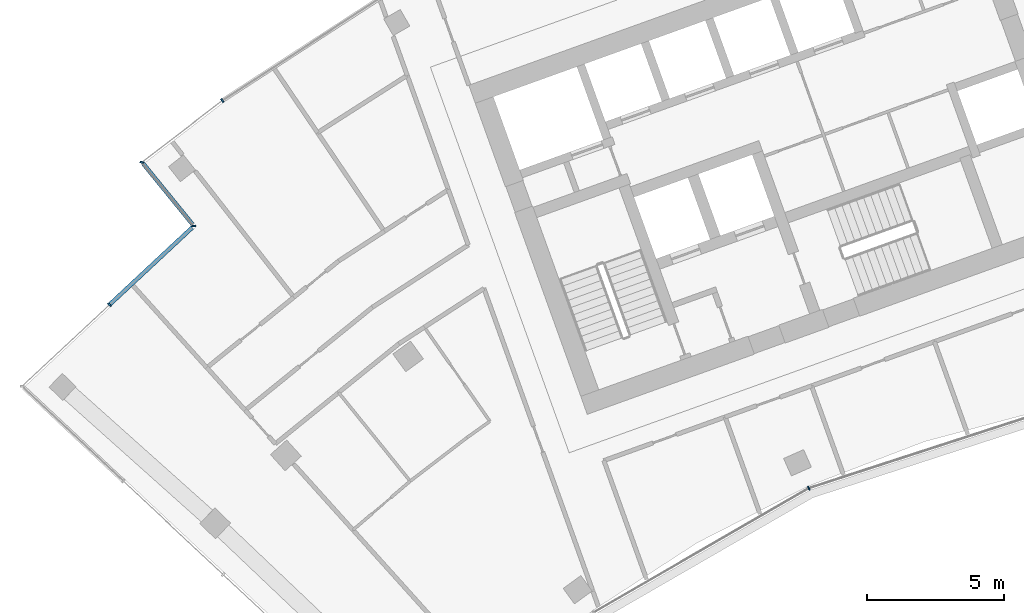
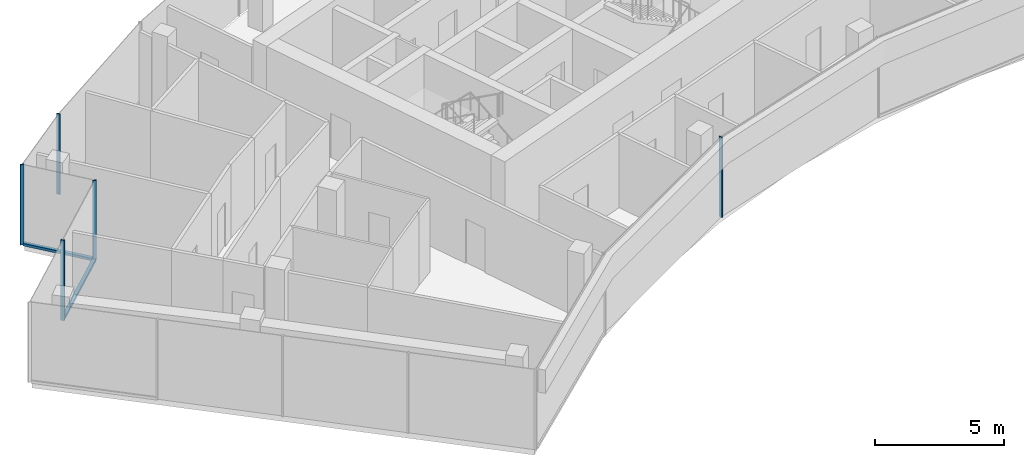
# One storey, part 3 of 18: 7 members, 4 elements without a shape of their own.
"""IFC4 building model written with IfcOpenShell, lengths in metres."""

from ifc_helpers import new_model, si_unit, direction, frame, origin, origin_2d, place, context, subcontext, project, spatial, rectangle, extrude, material, layer, layer_set, material_profile, profile_set, type_object, element, aggregate, save


model = new_model("IFC4")

# Units and contexts
model_context = context("Model", 3, precision=1e-05, world=origin(), true_north=direction((0.0, 1.0)))
body_context = subcontext(model_context, "Body", "Model", "MODEL_VIEW")
ifc_project = project(units=[si_unit("LENGTHUNIT", "METRE"), si_unit("AREAUNIT", "SQUARE_METRE"), si_unit("VOLUMEUNIT", "CUBIC_METRE"), si_unit("PLANEANGLEUNIT", "RADIAN"), si_unit("MASSUNIT", "GRAM", prefix="KILO")], contexts=[model_context])

# Site, building, storey
site_placement = place(None, origin())
site = spatial("IfcSite", under=ifc_project, at=site_placement, CompositionType="ELEMENT")
building_placement = place(site_placement, origin())
building = spatial("IfcBuilding", under=site, at=building_placement, Name="Stone Belt Terrace Tower", CompositionType="ELEMENT")
storey_placement = place(building_placement, frame((0.0, 0.0, 296.0)))
storey = spatial("IfcBuildingStorey", under=building, at=storey_placement, Name="L72", CompositionType="ELEMENT", Elevation=296.0)

# Curtain wall, member
ifc_material = material(Name="Aluminium 6063-T6 anodised frame", Category="aluminium")
ifc_layer_1 = layer(ifc_material, 0.14990234375)
ifc_layer_set_1 = layer_set([ifc_layer_1], Name="CW-A unitised convex-face curtain wall")
curtain_wall_type_1 = type_object("IfcCurtainWallType", Name="CW-A unitised convex-face curtain wall", PredefinedType="NOTDEFINED", material=ifc_layer_set_1)
curtain_wall_1_placement = place(storey_placement, origin())
curtain_wall_1 = element("IfcCurtainWall", 1, at=curtain_wall_1_placement, inside=storey, type_object=curtain_wall_type_1, Name="CW-A convex face L72", PredefinedType="NOTDEFINED")
ifc_material_profile_1 = material_profile(ifc_material, rectangle(XDim=0.14990234375, YDim=0.06005859375, at=origin_2d()), Name="Aluminium 6063-T6 60x150")
ifc_profile_set_1 = profile_set([ifc_material_profile_1], Name="Aluminium 6063-T6 anodised frame")
member_type_1 = type_object("IfcMemberType", Name="CW-A mullion 60 x 150", PredefinedType="MULLION", material=ifc_profile_set_1)
member_1_placement = place(storey_placement, frame((-39.131103515625, 53.86083984375, 0.0), z_axis=(0.0, 0.0, 1.0), x_axis=(0.577587125789, -0.816329046477, 0.0)))
member_1 = element("IfcMember", 2, at=member_1_placement, type_object=member_type_1, Name="CW-A mullion 14", PredefinedType="MULLION", context=body_context, shape_type="SweptSolid", body=[
    extrude(rectangle(XDim=0.14990234375, YDim=0.06005859375, at=origin_2d()), origin(), (0.0, 0.0, 1.0), 3.800048828125),
])
aggregate(curtain_wall_1, [member_1])

ifc_layer_2 = layer(ifc_material, 0.14990234375)
ifc_layer_set_2 = layer_set([ifc_layer_2], Name="CW-B unitised concave-face curtain wall")
curtain_wall_type_2 = type_object("IfcCurtainWallType", Name="CW-B unitised concave-face curtain wall", PredefinedType="NOTDEFINED", material=ifc_layer_set_2)
curtain_wall_2_placement = place(storey_placement, origin())
curtain_wall_2 = element("IfcCurtainWall", 3, at=curtain_wall_2_placement, inside=storey, type_object=curtain_wall_type_2, Name="CW-B concave face L72", PredefinedType="NOTDEFINED")
ifc_material_profile_2 = material_profile(ifc_material, rectangle(XDim=0.14990234375, YDim=0.050048828125, at=origin_2d()), Name="Aluminium 6063-T6 50x150")
ifc_profile_set_2 = profile_set([ifc_material_profile_2], Name="Aluminium 6063-T6 anodised frame")
member_type_2 = type_object("IfcMemberType", Name="CW-B mullion 50 x 150", PredefinedType="MULLION", material=ifc_profile_set_2)
member_2_placement = place(storey_placement, frame((-17.662353515625, 39.67041015625, 0.0), z_axis=(0.0, 0.0, 1.0), x_axis=(-0.406736643076, 0.913545457643, 0.0)))
member_2 = element("IfcMember", 4, at=member_2_placement, type_object=member_type_2, Name="CW-B mullion 3", PredefinedType="MULLION", context=body_context, shape_type="SweptSolid", body=[
    extrude(rectangle(XDim=0.14990234375, YDim=0.050048828125, at=origin_2d()), origin(), (0.0, 0.0, 1.0), 3.800048828125),
])
aggregate(curtain_wall_2, [member_2])

ifc_layer_3 = layer(ifc_material, 0.14990234375)
ifc_layer_set_3 = layer_set([ifc_layer_3], Name="CW-C stick curtain wall, horn ends and notches")
curtain_wall_type_3 = type_object("IfcCurtainWallType", Name="CW-C stick curtain wall, horn ends and notches", PredefinedType="NOTDEFINED", material=ifc_layer_set_3)
curtain_wall_3_placement = place(storey_placement, origin())
curtain_wall_3 = element("IfcCurtainWall", 5, at=curtain_wall_3_placement, inside=storey, type_object=curtain_wall_type_3, Name="CW-C notch face L72", PredefinedType="NOTDEFINED")
ifc_material_profile_3 = material_profile(ifc_material, rectangle(XDim=0.14990234375, YDim=0.06005859375, at=origin_2d()), Name="Aluminium 6063-T6 60x150")
ifc_profile_set_3 = profile_set([ifc_material_profile_3], Name="Aluminium 6063-T6 anodised frame")
member_type_3 = type_object("IfcMemberType", Name="CW-C mullion 60 x 150", PredefinedType="MULLION", material=ifc_profile_set_3)
member_3_placement = place(storey_placement, frame((-42.068359375, 51.60205078125, 0.0), z_axis=(0.0, 0.0, 1.0), x_axis=(0.993258004644, -0.115924700604, 0.0)))
member_3 = element("IfcMember", 6, at=member_3_placement, type_object=member_type_3, Name="CW-C mullion 1", PredefinedType="MULLION", context=body_context, shape_type="SweptSolid", body=[
    extrude(rectangle(XDim=0.14990234375, YDim=0.06005859375, at=origin_2d()), origin(), (0.0, 0.0, 1.0), 3.800048828125),
])

# Curtain wall, members
curtain_wall_4_placement = place(storey_placement, origin())
curtain_wall_4 = element("IfcCurtainWall", 7, at=curtain_wall_4_placement, inside=storey, type_object=curtain_wall_type_3, Name="CW-C notch face L72", PredefinedType="NOTDEFINED")
member_4_placement = place(storey_placement, frame((-40.1708984375, 49.269287109375, 0.0), z_axis=(0.0, 0.0, 1.0), x_axis=(0.997639702696, -0.068666029474, 0.0)))
member_4 = element("IfcMember", 8, at=member_4_placement, type_object=member_type_3, Name="CW-C mullion 1", PredefinedType="MULLION", context=body_context, shape_type="SweptSolid", body=[
    extrude(rectangle(XDim=0.14990234375, YDim=0.06005859375, at=origin_2d()), origin(), (0.0, 0.0, 1.0), 3.800048828125),
])
member_5_placement = place(storey_placement, frame((-43.260009765625, 46.388671875, 0.0), z_axis=(0.0, 0.0, 1.0), x_axis=(0.682013767261, -0.731339333871, 0.0)))
member_5 = element("IfcMember", 9, at=member_5_placement, type_object=member_type_3, Name="CW-C mullion 2", PredefinedType="MULLION", context=body_context, shape_type="SweptSolid", body=[
    extrude(rectangle(XDim=0.14990234375, YDim=0.06005859375, at=origin_2d()), origin(), (0.0, 0.0, 1.0), 3.800048828125),
])

# Member
ifc_material_profile_4 = material_profile(ifc_material, rectangle(XDim=0.14990234375, YDim=0.1201171875, at=origin_2d()), Name="Aluminium 6063-T6 150x120")
ifc_profile_set_4 = profile_set([ifc_material_profile_4], Name="Aluminium 6063-T6 anodised frame")
member_type_4 = type_object("IfcMemberType", Name="CW-C transom 120 x 150", PredefinedType="USERDEFINED", material=ifc_profile_set_4)
member_6_placement = place(storey_placement, frame((-42.021240234375, 51.5439453125, 0.06005859375), z_axis=(0.631026504781, -0.775761271439, 0.0), x_axis=(0.775761271439, 0.631026504781, 0.0)))
member_6 = element("IfcMember", 10, at=member_6_placement, type_object=member_type_4, Name="CW-C transom 1.1", ObjectType="TRANSOM", PredefinedType="USERDEFINED", context=body_context, shape_type="SweptSolid", body=[
    extrude(rectangle(XDim=0.14990234375, YDim=0.1201171875, at=origin_2d()), origin(), (0.0, 0.0, 1.0), 2.859130859375),
])

aggregate(curtain_wall_3, [member_3, member_6])

member_7_placement = place(storey_placement, frame((-40.224365234375, 49.21923828125, 0.06005859375), z_axis=(-0.731382255625, -0.681967738355, 0.0), x_axis=(0.681967738355, -0.731382255625, 0.0)))
member_7 = element("IfcMember", 11, at=member_7_placement, type_object=member_type_4, Name="CW-C transom 1.1", ObjectType="TRANSOM", PredefinedType="USERDEFINED", context=body_context, shape_type="SweptSolid", body=[
    extrude(rectangle(XDim=0.14990234375, YDim=0.1201171875, at=origin_2d()), origin(), (0.0, 0.0, 1.0), 4.12060546875),
])

aggregate(curtain_wall_4, [member_4, member_5, member_7])

save(model, "model.ifc")
